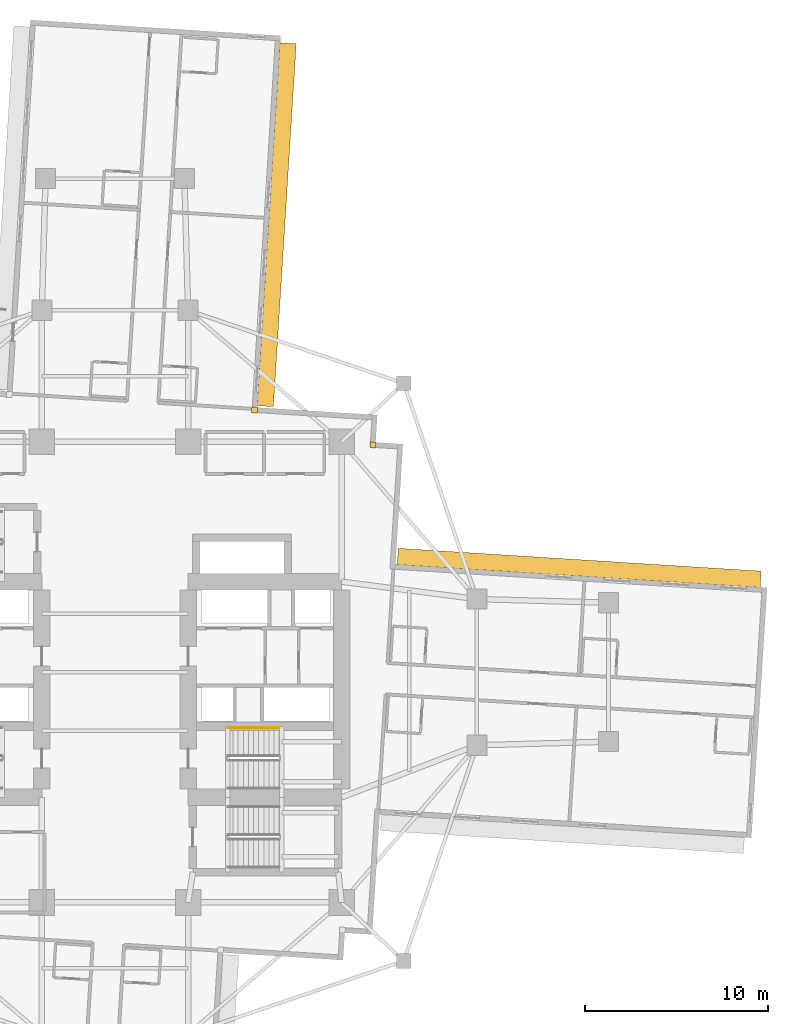
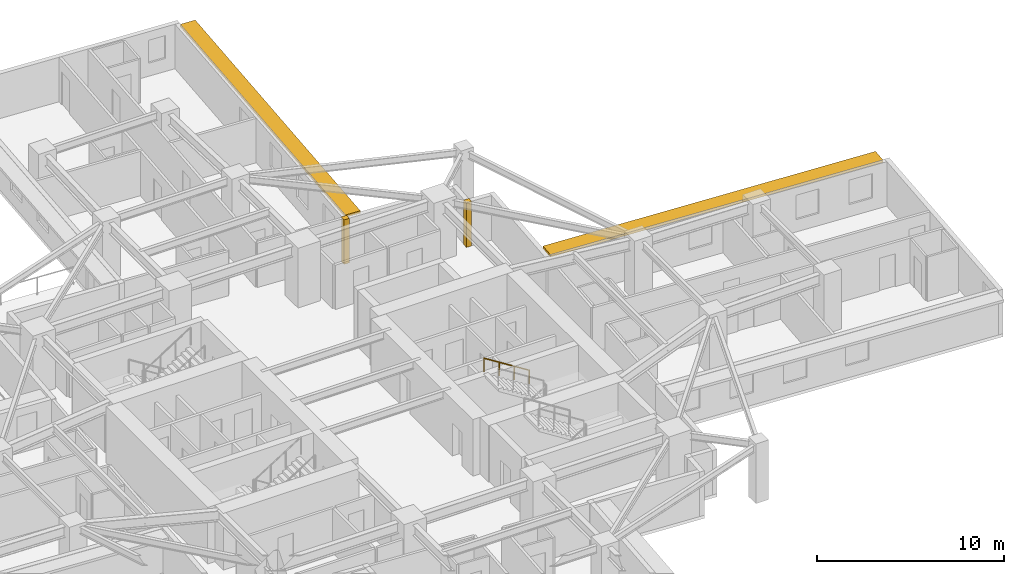
# One storey, part 14 of 14: 2 coverings, 2 shading devices, 1 railing.
"""IFC4 building model written with IfcOpenShell, lengths in metres."""

from ifc_helpers import new_model, si_unit, direction, frame, origin, origin_2d, place, context, subcontext, project, spatial, rectangle, circle, extrude, material, layer, layer_set, type_object, element, save


model = new_model("IFC4")

# Units and contexts
model_context = context("Model", 3, precision=1e-05, world=origin(), true_north=direction((0.0, 1.0)))
body_context = subcontext(model_context, "Body", "Model", "MODEL_VIEW")
ifc_project = project(units=[si_unit("LENGTHUNIT", "METRE"), si_unit("AREAUNIT", "SQUARE_METRE"), si_unit("VOLUMEUNIT", "CUBIC_METRE"), si_unit("PLANEANGLEUNIT", "RADIAN"), si_unit("MASSUNIT", "GRAM", prefix="KILO")], contexts=[model_context])

# Site, building, storey
site_placement = place(None, origin())
site = spatial("IfcSite", under=ifc_project, at=site_placement, CompositionType="ELEMENT")
building_placement = place(site_placement, origin())
building = spatial("IfcBuilding", under=site, at=building_placement, Name="Qingluan Cross Belvedere", CompositionType="ELEMENT")
storey_placement = place(building_placement, frame((0.0, 0.0, 87.300048828125)))
storey = spatial("IfcBuildingStorey", under=building, at=storey_placement, Name="L22", CompositionType="ELEMENT", Elevation=87.300048828125)

# Coverings
ifc_material_1 = material(Name="Precast concrete C45", Category="concrete")
ifc_layer_1 = layer(ifc_material_1, 0.1201171875, Name="ConcreteSpandrelCladding_120")
ifc_layer_set_1 = layer_set([ifc_layer_1], Name="Precast concrete C45")
covering_type = type_object("IfcCoveringType", Name="ConcreteSpandrelCladding_120", PredefinedType="CLADDING", material=ifc_layer_set_1)
for number, where, z_axis, x_axis, name in (
    (1, (14.10888671875, 12.438720703125, 0.0), (0.0, 0.0, 1.0), (0.998026728428, -0.062790519529, 0.0), "Corner closure L22-NE1"),
    (2, (7.635986328125, 14.348876953125, 0.0), (0.0, 0.0, 1.0), (0.998026728428, -0.062790519529, 0.0), "Corner closure L22-NE2"),
):
    element("IfcCovering", number, at=place(storey_placement, frame(where, z_axis=z_axis, x_axis=x_axis)), inside=storey, type_object=covering_type, Name=name, PredefinedType="CLADDING", context=body_context, shape_type="SweptSolid", body=[
        extrude(rectangle(XDim=0.320068359375, YDim=0.320068359375, at=origin_2d()), origin(), (0.0, 0.0, 1.0), 2.909912109375),
    ])

# Shading devices
ifc_material_2 = material(Name="Precast concrete C45", Category="concrete")
ifc_layer_2 = layer(ifc_material_2, 0.159912109375, Name="ConcreteSunshadeBand_900")
ifc_layer_set_2 = layer_set([ifc_layer_2], Name="Precast concrete C45")
shading_device_type = type_object("IfcShadingDeviceType", Name="ConcreteSunshadeBand_900", PredefinedType="USERDEFINED", material=ifc_layer_set_2)
for number, where, z_axis, x_axis, name in (
    (3, (25.3984375, 5.70654296875, 2.72998046875), (0.0, 0.0, 1.0), (-0.998026999973, 0.062786203294, 0.0), "Concrete SUNSHADE L22-EB"),
    (4, (8.8447265625, 24.48291015625, 2.72998046875), (0.0, 0.0, 1.0), (0.062791158819, 0.998026688207, 0.0), "Concrete SUNSHADE L22-NA"),
):
    element("IfcShadingDevice", number, at=place(storey_placement, frame(where, z_axis=z_axis, x_axis=x_axis)), inside=storey, type_object=shading_device_type, Name=name, ObjectType="SUNSHADE", PredefinedType="USERDEFINED", context=body_context, shape_type="SweptSolid", body=[
        extrude(rectangle(XDim=19.89990234375, YDim=0.89990234375, at=origin_2d()), origin(), (0.0, 0.0, 1.0), 0.159912109375),
    ])

# Railing
ifc_material_3 = material(Name="Brushed stainless steel tubular handrail", Category="steel")
railing_type = type_object("IfcRailingType", Name="StairPitchHandrail_900", PredefinedType="HANDRAIL", material=ifc_material_3)
railing_placement = place(storey_placement, frame((8.97998046875, -3.050048828125, 2.127197265625)))
element("IfcRailing", 5, at=railing_placement, inside=storey, type_object=railing_type, Name="L22 ST2 stair handrail 2", PredefinedType="HANDRAIL", context=body_context, shape_type="SweptSolid", body=[
    extrude(circle(Radius=0.02392578125, at=origin_2d()), frame((0.0, 0.0, 0.8759765625), z_axis=(-0.844908973607, 0.0, 0.534910110503), x_axis=(0.0, -1.0, 0.0)), (0.0, 0.0, 1.0), 3.31396484375),
    extrude(circle(Radius=0.02099609375, at=origin_2d()), origin(), (0.0, 0.0, 1.0), 0.851806640625),
    extrude(circle(Radius=0.02099609375, at=origin_2d()), frame((-0.933349609375, 0.0, 0.5908203125)), (0.0, 0.0, 1.0), 0.851806640625),
    extrude(circle(Radius=0.02099609375, at=origin_2d()), frame((-1.86669921875, 0.0, 1.181884765625)), (0.0, 0.0, 1.0), 0.851806640625),
    extrude(circle(Radius=0.02099609375, at=origin_2d()), frame((-2.800048828125, 0.0, 1.772705078125)), (0.0, 0.0, 1.0), 0.851806640625),
])

save(model, "model.ifc")
